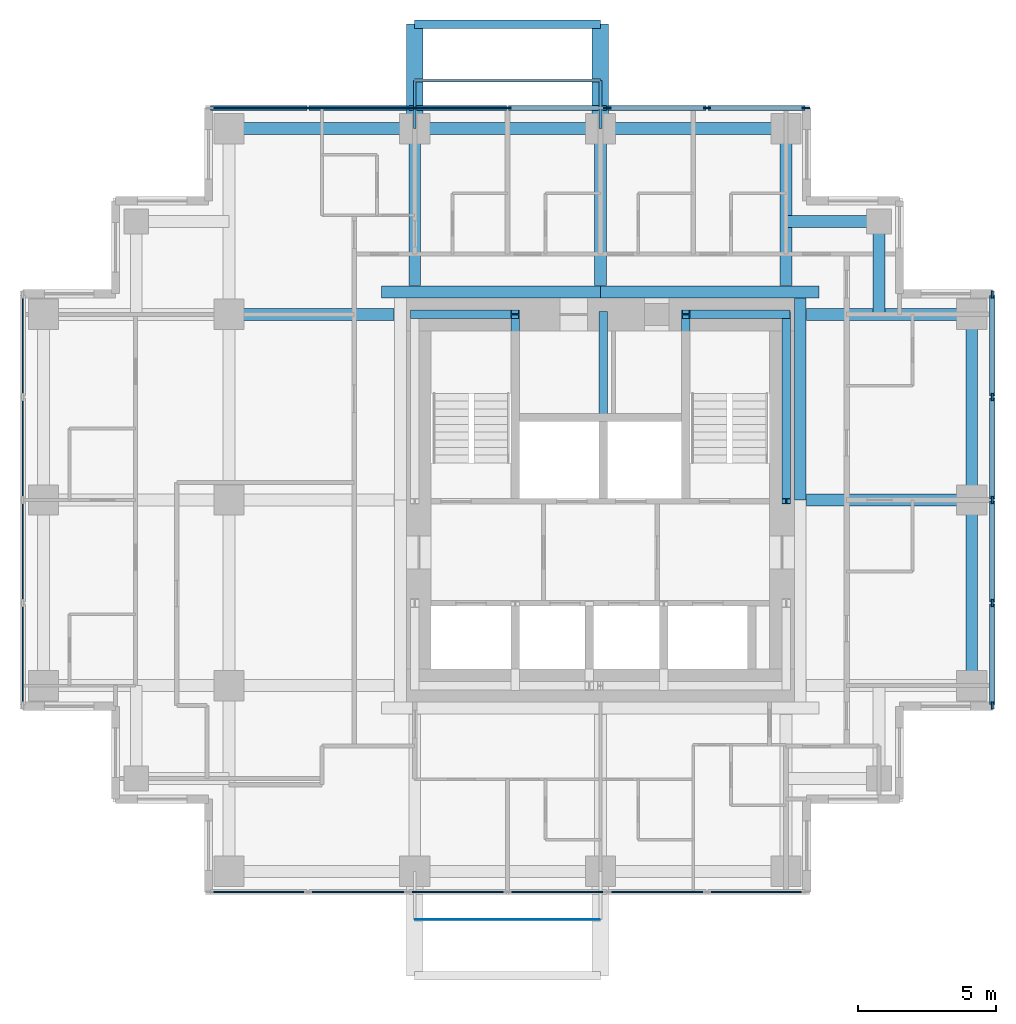
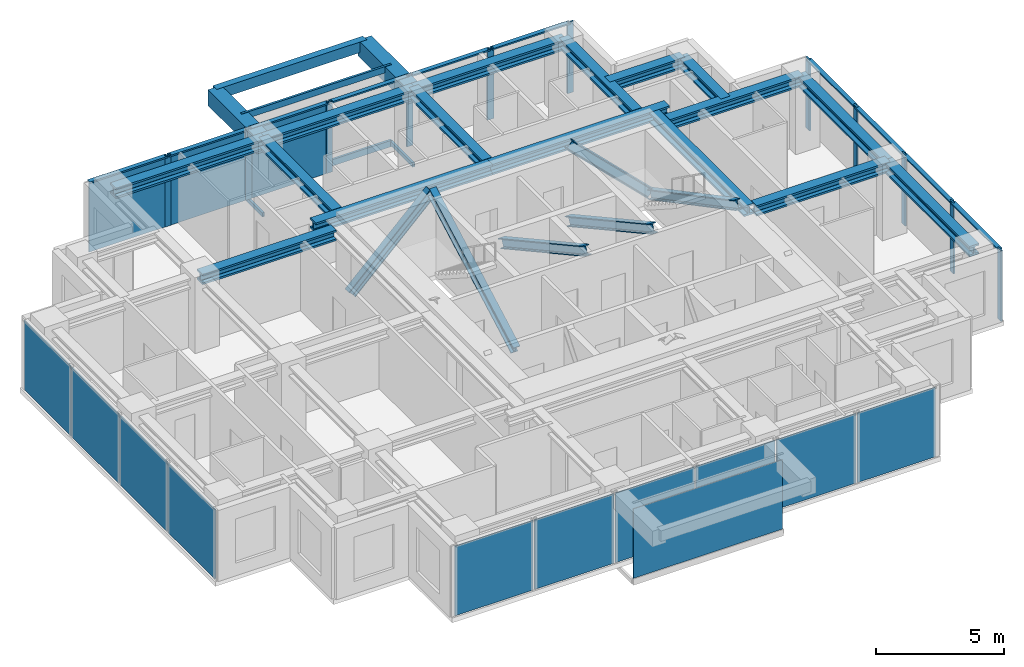
# One storey, part 2 of 8: 31 members, 19 beams, 14 plates, 4 elements without a shape of their own.
"""IFC4 building model written with IfcOpenShell, lengths in metres."""

from ifc_helpers import new_model, si_unit, direction, frame, origin, origin_2d, place, context, subcontext, project, spatial, rectangle, hollow_rectangle, i_section, extrude, material, layer, layer_set, material_profile, profile_set, type_object, element, aggregate, save


model = new_model("IFC4")

# Units and contexts
model_context = context("Model", 3, precision=1e-05, world=origin(), true_north=direction((0.0, 1.0)))
body_context = subcontext(model_context, "Body", "Model", "MODEL_VIEW")
ifc_project = project(units=[si_unit("LENGTHUNIT", "METRE"), si_unit("AREAUNIT", "SQUARE_METRE"), si_unit("VOLUMEUNIT", "CUBIC_METRE"), si_unit("PLANEANGLEUNIT", "RADIAN"), si_unit("MASSUNIT", "GRAM", prefix="KILO")], contexts=[model_context])

# Site, building, storey
site_placement = place(None, origin())
site = spatial("IfcSite", under=ifc_project, at=site_placement, CompositionType="ELEMENT")
building_placement = place(site_placement, origin())
building = spatial("IfcBuilding", under=site, at=building_placement, Name="Nyansa Garden Tower", CompositionType="ELEMENT")
storey_placement = place(building_placement, frame((0.0, 0.0, 222.300048828125)))
storey = spatial("IfcBuildingStorey", under=building, at=storey_placement, Name="L60", CompositionType="ELEMENT", Elevation=222.300048828125)

# Beams
ifc_material_1 = material(Name="Concrete C70/85", Category="concrete")
ifc_material_profile_1 = material_profile(ifc_material_1, rectangle(XDim=0.60009765625, YDim=0.75, at=origin_2d()), Name="RC 600x750")
ifc_profile_set_1 = profile_set([ifc_material_profile_1], Name="Concrete C70/85")
beam_type_1 = type_object("IfcBeamType", Name="Balcony cantilever beam CB1 RC 600x750", PredefinedType="BEAM", material=ifc_profile_set_1)
for number, where, z_axis, x_axis, name in (
    (1, (13.5, 33.75, 2.98486328125), (0.0, 1.0, 0.0), (-1.0, 0.0, 0.0), "Balcony cantilever beam L61"),
    (2, (20.25, 33.75, 2.98486328125), (0.0, 1.0, 0.0), (-1.0, 0.0, 0.0), "Balcony cantilever beam L61"),
):
    element("IfcBeam", number, at=place(storey_placement, frame(where, z_axis=z_axis, x_axis=x_axis)), inside=storey, type_object=beam_type_1, Name=name, PredefinedType="BEAM", context=body_context, shape_type="SweptSolid", body=[
        extrude(rectangle(XDim=0.60009765625, YDim=0.75, at=origin_2d()), origin(), (0.0, 0.0, 1.0), 3.800048828125),
    ])
ifc_material_2 = material(Name="Concrete C70/85", Category="concrete")
ifc_material_profile_2 = material_profile(ifc_material_2, rectangle(XDim=0.300048828125, YDim=0.5, at=origin_2d()), Name="RC 300x500")
ifc_profile_set_2 = profile_set([ifc_material_profile_2], Name="Concrete C70/85")
beam_type_2 = type_object("IfcBeamType", Name="Balcony edge beam BE1 RC 300x500", PredefinedType="BEAM", material=ifc_profile_set_2)
beam_1_placement = place(storey_placement, frame((13.5, 37.550048828125, 3.10986328125), z_axis=(1.0, 0.0, 0.0), x_axis=(0.0, 1.0, 0.0)))
element("IfcBeam", 3, at=beam_1_placement, inside=storey, type_object=beam_type_2, Name="Balcony edge beam L61", PredefinedType="BEAM", context=body_context, shape_type="SweptSolid", body=[
    extrude(rectangle(XDim=0.300048828125, YDim=0.5, at=origin_2d()), origin(), (0.0, 0.0, 1.0), 6.75),
])

# Curtain wall, members
ifc_material_3 = material(Name="Black anodised aluminium, dark tinted double glazing", Category="aluminium")
curtain_wall_type = type_object("IfcCurtainWallType", Name="Inner skin curtain wall ISW-D", PredefinedType="USERDEFINED", material=ifc_material_3)
curtain_wall_1_placement = place(storey_placement, origin())
curtain_wall_1 = element("IfcCurtainWall", 4, at=curtain_wall_1_placement, inside=storey, type_object=curtain_wall_type, Name="Inner skin curtain wall L60 E", ObjectType="UNITISED CURTAIN WALL", PredefinedType="USERDEFINED")
ifc_material_4 = material(Name="Black anodised aluminium", Category="aluminium")
ifc_material_profile_3 = material_profile(ifc_material_4, rectangle(XDim=0.070068359375, YDim=0.27490234375, at=origin_2d()), Name="Mullion 275x70")
ifc_profile_set_3 = profile_set([ifc_material_profile_3], Name="Black anodised aluminium")
member_type_1 = type_object("IfcMemberType", Name="Mullion ISW-D 275x70", PredefinedType="MULLION", material=ifc_profile_set_3)
member_1_placement = place(storey_placement, frame((34.5, 12.784912109375, 0.0), z_axis=(0.0, 0.0, 1.0), x_axis=(-1.0, 0.0, 0.0)))
member_1 = element("IfcMember", 5, at=member_1_placement, type_object=member_type_1, Name="ISW-D mullion 1", PredefinedType="MULLION", context=body_context, shape_type="SweptSolid", body=[
    extrude(rectangle(XDim=0.070068359375, YDim=0.27490234375, at=origin_2d()), origin(), (0.0, 0.0, 1.0), 3.375),
])
member_2_placement = place(storey_placement, frame((34.5, 16.5, 0.0), z_axis=(0.0, 0.0, 1.0), x_axis=(-1.0, 0.0, 0.0)))
member_2 = element("IfcMember", 6, at=member_2_placement, type_object=member_type_1, Name="ISW-D mullion 2", PredefinedType="MULLION", context=body_context, shape_type="SweptSolid", body=[
    extrude(rectangle(XDim=0.070068359375, YDim=0.27490234375, at=origin_2d()), origin(), (0.0, 0.0, 1.0), 3.375),
])
member_3_placement = place(storey_placement, frame((34.5, 20.25, 0.0), z_axis=(0.0, 0.0, 1.0), x_axis=(-1.0, 0.0, 0.0)))
member_3 = element("IfcMember", 7, at=member_3_placement, type_object=member_type_1, Name="ISW-D mullion 3", PredefinedType="MULLION", context=body_context, shape_type="SweptSolid", body=[
    extrude(rectangle(XDim=0.070068359375, YDim=0.27490234375, at=origin_2d()), origin(), (0.0, 0.0, 1.0), 3.375),
])
member_4_placement = place(storey_placement, frame((34.5, 24.0, 0.0), z_axis=(0.0, 0.0, 1.0), x_axis=(-1.0, 0.0, 0.0)))
member_4 = element("IfcMember", 8, at=member_4_placement, type_object=member_type_1, Name="ISW-D mullion 4", PredefinedType="MULLION", context=body_context, shape_type="SweptSolid", body=[
    extrude(rectangle(XDim=0.070068359375, YDim=0.27490234375, at=origin_2d()), origin(), (0.0, 0.0, 1.0), 3.375),
])
member_5_placement = place(storey_placement, frame((34.5, 27.715087890625, 0.0), z_axis=(0.0, 0.0, 1.0), x_axis=(-1.0, 0.0, 0.0)))
member_5 = element("IfcMember", 9, at=member_5_placement, type_object=member_type_1, Name="ISW-D mullion 5", PredefinedType="MULLION", context=body_context, shape_type="SweptSolid", body=[
    extrude(rectangle(XDim=0.070068359375, YDim=0.27490234375, at=origin_2d()), origin(), (0.0, 0.0, 1.0), 3.375),
])

curtain_wall_2_placement = place(storey_placement, origin())
curtain_wall_2 = element("IfcCurtainWall", 10, at=curtain_wall_2_placement, inside=storey, type_object=curtain_wall_type, Name="Inner skin curtain wall L60 N", ObjectType="UNITISED CURTAIN WALL", PredefinedType="USERDEFINED")
member_6_placement = place(storey_placement, frame((27.715087890625, 34.5, 0.0), z_axis=(0.0, 0.0, 1.0), x_axis=(0.0, -1.0, 0.0)))
member_6 = element("IfcMember", 11, at=member_6_placement, type_object=member_type_1, Name="ISW-D mullion 1", PredefinedType="MULLION", context=body_context, shape_type="SweptSolid", body=[
    extrude(rectangle(XDim=0.070068359375, YDim=0.27490234375, at=origin_2d()), origin(), (0.0, 0.0, 1.0), 3.375),
])
member_7_placement = place(storey_placement, frame((24.125, 34.5, 0.0), z_axis=(0.0, 0.0, 1.0), x_axis=(0.0, -1.0, 0.0)))
member_7 = element("IfcMember", 12, at=member_7_placement, type_object=member_type_1, Name="ISW-D mullion 2", PredefinedType="MULLION", context=body_context, shape_type="SweptSolid", body=[
    extrude(rectangle(XDim=0.070068359375, YDim=0.27490234375, at=origin_2d()), origin(), (0.0, 0.0, 1.0), 3.375),
])
member_8_placement = place(storey_placement, frame((20.5, 34.5, 0.0), z_axis=(0.0, 0.0, 1.0), x_axis=(0.0, -1.0, 0.0)))
member_8 = element("IfcMember", 13, at=member_8_placement, type_object=member_type_1, Name="ISW-D mullion 3", PredefinedType="MULLION", context=body_context, shape_type="SweptSolid", body=[
    extrude(rectangle(XDim=0.070068359375, YDim=0.27490234375, at=origin_2d()), origin(), (0.0, 0.0, 1.0), 3.375),
])
member_9_placement = place(storey_placement, frame((16.875, 34.5, 0.0), z_axis=(0.0, 0.0, 1.0), x_axis=(0.0, -1.0, 0.0)))
member_9 = element("IfcMember", 14, at=member_9_placement, type_object=member_type_1, Name="ISW-D mullion 4", PredefinedType="MULLION", context=body_context, shape_type="SweptSolid", body=[
    extrude(rectangle(XDim=0.070068359375, YDim=0.27490234375, at=origin_2d()), origin(), (0.0, 0.0, 1.0), 3.375),
])
member_10_placement = place(storey_placement, frame((13.25, 34.5, 0.0), z_axis=(0.0, 0.0, 1.0), x_axis=(0.0, -1.0, 0.0)))
member_10 = element("IfcMember", 15, at=member_10_placement, type_object=member_type_1, Name="ISW-D mullion 5", PredefinedType="MULLION", context=body_context, shape_type="SweptSolid", body=[
    extrude(rectangle(XDim=0.070068359375, YDim=0.27490234375, at=origin_2d()), origin(), (0.0, 0.0, 1.0), 3.375),
])
member_11_placement = place(storey_placement, frame((9.625, 34.5, 0.0), z_axis=(0.0, 0.0, 1.0), x_axis=(0.0, -1.0, 0.0)))
member_11 = element("IfcMember", 16, at=member_11_placement, type_object=member_type_1, Name="ISW-D mullion 6", PredefinedType="MULLION", context=body_context, shape_type="SweptSolid", body=[
    extrude(rectangle(XDim=0.070068359375, YDim=0.27490234375, at=origin_2d()), origin(), (0.0, 0.0, 1.0), 3.375),
])

# Members
ifc_material_5 = material(Name="Steel S355, black powder coated", Category="steel")
ifc_material_profile_4 = material_profile(ifc_material_5, hollow_rectangle(XDim=0.10009765625, YDim=0.199951171875, WallThickness=0.008056640625, at=origin_2d()), Name="RHS 200x100x8")
ifc_profile_set_4 = profile_set([ifc_material_profile_4], Name="Steel S355, black powder coated")
member_type_2 = type_object("IfcMemberType", Name="Outer skin bracket arm RHS 200x100x8", PredefinedType="USERDEFINED", material=ifc_profile_set_4)
for number, where, z_axis, x_axis, name in (
    (17, (13.5, 33.75, -0.375), (0.0, 1.0, 0.0), (-1.0, 0.0, 0.0), "Outer skin bracket arm"),
    (18, (20.25, 33.75, -0.375), (0.0, 1.0, 0.0), (-1.0, 0.0, 0.0), "Outer skin bracket arm"),
):
    element("IfcMember", number, at=place(storey_placement, frame(where, z_axis=z_axis, x_axis=x_axis)), inside=storey, type_object=member_type_2, Name=name, ObjectType="OUTER SKIN BRACKET", PredefinedType="USERDEFINED", context=body_context, shape_type="SweptSolid", body=[
        extrude(hollow_rectangle(XDim=0.10009765625, YDim=0.199951171875, WallThickness=0.008056640625, at=origin_2d()), origin(), (0.0, 0.0, 1.0), 1.75),
    ])
ifc_material_6 = material(Name="Steel S355, black powder coated", Category="steel")
ifc_material_profile_5 = material_profile(ifc_material_6, hollow_rectangle(XDim=0.10009765625, YDim=0.300048828125, WallThickness=0.010009765625, at=origin_2d()), Name="RHS 300x100x10")
ifc_profile_set_5 = profile_set([ifc_material_profile_5], Name="Steel S355, black powder coated")
member_type_3 = type_object("IfcMemberType", Name="Outer skin rail RHS 300x100x10", PredefinedType="USERDEFINED", material=ifc_profile_set_5)
for number, where, z_axis, x_axis, name in (
    (19, (13.5, 35.5, -0.375), (1.0, 0.0, 0.0), (0.0, 1.0, 0.0), "Outer skin rail L60"),
    (20, (13.5, 35.5, 3.224853515625), (1.0, 0.0, 0.0), (0.0, 1.0, 0.0), "Outer skin rail L60 head"),
):
    element("IfcMember", number, at=place(storey_placement, frame(where, z_axis=z_axis, x_axis=x_axis)), inside=storey, type_object=member_type_3, Name=name, ObjectType="OUTER SKIN RAIL", PredefinedType="USERDEFINED", context=body_context, shape_type="SweptSolid", body=[
        extrude(hollow_rectangle(XDim=0.10009765625, YDim=0.300048828125, WallThickness=0.010009765625, at=origin_2d()), origin(), (0.0, 0.0, 1.0), 6.75),
    ])
ifc_material_7 = material(Name="Steel S355", Category="steel")
ifc_material_profile_6 = material_profile(ifc_material_7, i_section(OverallWidth=0.306884765625, OverallDepth=0.431884765625, WebThickness=0.02099609375, FlangeThickness=0.0400390625, FilletRadius=0.027099609375, at=origin_2d()), Name="HE 400 M")
ifc_profile_set_6 = profile_set([ifc_material_profile_6], Name="Steel S355")
member_type_4 = type_object("IfcMemberType", Name="Perimeter brace HE 400 M", PredefinedType="BRACE", material=ifc_profile_set_6)
for number, where, z_axis, x_axis, name in (
    (21, (13.5, 27.0, 0.0), (0.711971340796, 0.0, 0.702208523079), (0.0, 1.0, 0.0), "Core brace CN3 L60"),
    (22, (27.0, 27.0, 0.0), (-0.711971340796, 0.0, 0.702208523079), (0.0, -1.0, 0.0), "Core brace CN4 L60"),
):
    element("IfcMember", number, at=place(storey_placement, frame(where, z_axis=z_axis, x_axis=x_axis)), inside=storey, type_object=member_type_4, Name=name, PredefinedType="BRACE", context=body_context, shape_type="SweptSolid", body=[
        extrude(i_section(OverallWidth=0.306884765625, OverallDepth=0.431884765625, WebThickness=0.02099609375, FlangeThickness=0.0400390625, FilletRadius=0.027099609375, at=origin_2d()), origin(), (0.0, 0.0, 1.0), 5.12646484375),
    ])
member_12_placement = place(storey_placement, frame((27.0, 27.0, 0.0), z_axis=(0.0, -0.883797178129, 0.467870225524), x_axis=(1.0, 0.0, 0.0)))
element("IfcMember", 23, at=member_12_placement, inside=storey, type_object=member_type_4, Name="Core brace CE8 L60", PredefinedType="BRACE", context=body_context, shape_type="SweptSolid", body=[
    extrude(i_section(OverallWidth=0.306884765625, OverallDepth=0.431884765625, WebThickness=0.02099609375, FlangeThickness=0.0400390625, FilletRadius=0.027099609375, at=origin_2d()), origin(), (0.0, 0.0, 1.0), 7.694091796875),
])
for number, where, z_axis, x_axis, name in (
    (24, (17.14990234375, 20.449951171875, 0.0), (0.0, 0.876366901673, 0.481644115143), (-1.0, 0.0, 0.0), "Core brace CWS9 L60"),
    (25, (23.35009765625, 27.0, 0.0), (0.0, -0.876366901673, 0.481644115143), (1.0, 0.0, 0.0), "Core brace CES10 L60"),
    (26, (20.35009765625, 27.0, 0.0), (0.0, -0.876366901673, 0.481644115143), (1.0, 0.0, 0.0), "Core brace CNW14 L60"),
):
    element("IfcMember", number, at=place(storey_placement, frame(where, z_axis=z_axis, x_axis=x_axis)), inside=storey, type_object=member_type_4, Name=name, PredefinedType="BRACE", context=body_context, shape_type="SweptSolid", body=[
        extrude(i_section(OverallWidth=0.306884765625, OverallDepth=0.431884765625, WebThickness=0.02099609375, FlangeThickness=0.0400390625, FilletRadius=0.027099609375, at=origin_2d()), origin(), (0.0, 0.0, 1.0), 7.47412109375),
    ])

# Beams
ifc_material_8 = material(Name="Steel S355", Category="steel")
ifc_material_profile_7 = material_profile(ifc_material_8, i_section(OverallWidth=0.431884765625, OverallDepth=0.498046875, WebThickness=0.0556640625, FlangeThickness=0.0888671875, FilletRadius=0.014892578125, at=origin_2d()), Name="HD 400x744")
ifc_profile_set_7 = profile_set([ifc_material_profile_7], Name="Steel S355")
beam_type_3 = type_object("IfcBeamType", Name="Steel beam SBD1-744 HD 400x744", PredefinedType="BEAM", material=ifc_profile_set_7)
beam_2_placement = place(storey_placement, frame((6.75, 27.0, 3.1259765625), z_axis=(1.0, 0.0, 0.0), x_axis=(0.0, 1.0, 0.0)))
element("IfcBeam", 27, at=beam_2_placement, inside=storey, type_object=beam_type_3, Name="Steel beam 3/H-12.750/H L61", PredefinedType="BEAM", context=body_context, shape_type="SweptSolid", body=[
    extrude(i_section(OverallWidth=0.431884765625, OverallDepth=0.498046875, WebThickness=0.0556640625, FlangeThickness=0.0888671875, FilletRadius=0.014892578125, at=origin_2d()), origin(), (0.0, 0.0, 1.0), 6.0),
])
for number, where, z_axis, x_axis, name in (
    (28, (13.5, 28.050048828125, 3.1259765625), (0.0, 1.0, 0.0), (-1.0, 0.0, 0.0), "Steel beam 4/28.050-4/J L61"),
    (29, (20.25, 28.050048828125, 3.1259765625), (0.0, 1.0, 0.0), (-1.0, 0.0, 0.0), "Steel beam 5/28.050-5/J L61"),
):
    element("IfcBeam", number, at=place(storey_placement, frame(where, z_axis=z_axis, x_axis=x_axis)), inside=storey, type_object=beam_type_3, Name=name, PredefinedType="BEAM", context=body_context, shape_type="SweptSolid", body=[
        extrude(i_section(OverallWidth=0.431884765625, OverallDepth=0.498046875, WebThickness=0.0556640625, FlangeThickness=0.0888671875, FilletRadius=0.014892578125, at=origin_2d()), origin(), (0.0, 0.0, 1.0), 5.699951171875),
    ])
beam_3_placement = place(storey_placement, frame((27.75, 20.25, 3.1259765625), z_axis=(1.0, 0.0, 0.0), x_axis=(0.0, 1.0, 0.0)))
element("IfcBeam", 30, at=beam_3_placement, inside=storey, type_object=beam_type_3, Name="Steel beam 27.750/G-7/G L61", PredefinedType="BEAM", context=body_context, shape_type="SweptSolid", body=[
    extrude(i_section(OverallWidth=0.431884765625, OverallDepth=0.498046875, WebThickness=0.0556640625, FlangeThickness=0.0888671875, FilletRadius=0.014892578125, at=origin_2d()), origin(), (0.0, 0.0, 1.0), 6.0),
])
beam_4_placement = place(storey_placement, frame((27.0, 28.050048828125, 3.1259765625), z_axis=(0.0, 1.0, 0.0), x_axis=(-1.0, 0.0, 0.0)))
element("IfcBeam", 31, at=beam_4_placement, inside=storey, type_object=beam_type_3, Name="Steel beam 6/28.050-6/J L61", PredefinedType="BEAM", context=body_context, shape_type="SweptSolid", body=[
    extrude(i_section(OverallWidth=0.431884765625, OverallDepth=0.498046875, WebThickness=0.0556640625, FlangeThickness=0.0888671875, FilletRadius=0.014892578125, at=origin_2d()), origin(), (0.0, 0.0, 1.0), 5.699951171875),
])
beam_5_placement = place(storey_placement, frame((27.75, 27.0, 3.1259765625), z_axis=(1.0, 0.0, 0.0), x_axis=(0.0, 1.0, 0.0)))
element("IfcBeam", 32, at=beam_5_placement, inside=storey, type_object=beam_type_3, Name="Steel beam 27.750/H-7/H L61", PredefinedType="BEAM", context=body_context, shape_type="SweptSolid", body=[
    extrude(i_section(OverallWidth=0.431884765625, OverallDepth=0.498046875, WebThickness=0.0556640625, FlangeThickness=0.0888671875, FilletRadius=0.014892578125, at=origin_2d()), origin(), (0.0, 0.0, 1.0), 6.0),
])
ifc_material_9 = material(Name="Steel S355", Category="steel")
ifc_material_profile_8 = material_profile(ifc_material_9, i_section(OverallWidth=0.431884765625, OverallDepth=0.498046875, WebThickness=0.0556640625, FlangeThickness=0.0888671875, FilletRadius=0.014892578125, at=origin_2d()), Name="HD 400x744")
ifc_profile_set_8 = profile_set([ifc_material_profile_8], Name="Steel S355")
beam_type_4 = type_object("IfcBeamType", Name="Steel beam SEBD-744 HD 400x744", PredefinedType="BEAM", material=ifc_profile_set_8)
for number, where, z_axis, x_axis, name in (
    (33, (6.75, 33.75, 3.1259765625), (1.0, 0.0, 0.0), (0.0, 1.0, 0.0), "Steel edge beam 3/J-4/J L61"),
    (34, (13.5, 33.75, 3.1259765625), (1.0, 0.0, 0.0), (0.0, 1.0, 0.0), "Steel edge beam 4/J-5/J L61"),
    (35, (20.25, 33.75, 3.1259765625), (1.0, 0.0, 0.0), (0.0, 1.0, 0.0), "Steel edge beam 5/J-6/J L61"),
    (36, (33.75, 13.5, 3.1259765625), (0.0, 1.0, 0.0), (-1.0, 0.0, 0.0), "Steel edge beam 7/F-7/G L61"),
    (37, (33.75, 20.25, 3.1259765625), (0.0, 1.0, 0.0), (-1.0, 0.0, 0.0), "Steel edge beam 7/G-7/H L61"),
):
    element("IfcBeam", number, at=place(storey_placement, frame(where, z_axis=z_axis, x_axis=x_axis)), inside=storey, type_object=beam_type_4, Name=name, PredefinedType="BEAM", context=body_context, shape_type="SweptSolid", body=[
        extrude(i_section(OverallWidth=0.431884765625, OverallDepth=0.498046875, WebThickness=0.0556640625, FlangeThickness=0.0888671875, FilletRadius=0.014892578125, at=origin_2d()), origin(), (0.0, 0.0, 1.0), 6.75),
    ])
ifc_material_10 = material(Name="Steel S355", Category="steel")
ifc_material_profile_9 = material_profile(ifc_material_10, i_section(OverallWidth=0.431884765625, OverallDepth=0.498046875, WebThickness=0.0556640625, FlangeThickness=0.0888671875, FilletRadius=0.014892578125, at=origin_2d()), Name="HD 400x744")
ifc_profile_set_9 = profile_set([ifc_material_profile_9], Name="Steel S355")
beam_type_5 = type_object("IfcBeamType", Name="Steel beam SLB1-744 HD 400x744", PredefinedType="BEAM", material=ifc_profile_set_9)
beam_6_placement = place(storey_placement, frame((27.51611328125, 20.25, 3.1259765625), z_axis=(0.0, 1.0, 0.0), x_axis=(-1.0, 0.0, 0.0)))
element("IfcBeam", 38, at=beam_6_placement, inside=storey, type_object=beam_type_5, Name="Steel core ledger beam E.2 L61", PredefinedType="BEAM", context=body_context, shape_type="SweptSolid", body=[
    extrude(i_section(OverallWidth=0.431884765625, OverallDepth=0.498046875, WebThickness=0.0556640625, FlangeThickness=0.0888671875, FilletRadius=0.014892578125, at=origin_2d()), origin(), (0.0, 0.0, 1.0), 7.35009765625),
])
for number, where, z_axis, x_axis, name in (
    (39, (28.199951171875, 27.81591796875, 3.1259765625), (-1.0, 0.0, 0.0), (0.0, -1.0, 0.0), "Steel core ledger beam N.1 L61"),
    (40, (20.25, 27.81591796875, 3.1259765625), (-1.0, 0.0, 0.0), (0.0, -1.0, 0.0), "Steel core ledger beam N.2 L61"),
):
    element("IfcBeam", number, at=place(storey_placement, frame(where, z_axis=z_axis, x_axis=x_axis)), inside=storey, type_object=beam_type_5, Name=name, PredefinedType="BEAM", context=body_context, shape_type="SweptSolid", body=[
        extrude(i_section(OverallWidth=0.431884765625, OverallDepth=0.498046875, WebThickness=0.0556640625, FlangeThickness=0.0888671875, FilletRadius=0.014892578125, at=origin_2d()), origin(), (0.0, 0.0, 1.0), 7.949951171875),
    ])
ifc_material_11 = material(Name="Steel S355", Category="steel")
ifc_material_profile_10 = material_profile(ifc_material_11, i_section(OverallWidth=0.431884765625, OverallDepth=0.498046875, WebThickness=0.0556640625, FlangeThickness=0.0888671875, FilletRadius=0.014892578125, at=origin_2d()), Name="HD 400x744")
ifc_profile_set_10 = profile_set([ifc_material_profile_10], Name="Steel S355")
beam_type_6 = type_object("IfcBeamType", Name="Steel beam SSB1-744 HD 400x744", PredefinedType="BEAM", material=ifc_profile_set_10)
for number, where, z_axis, x_axis, name in (
    (41, (30.375, 30.375, 3.1259765625), (0.0, -1.0, 0.0), (1.0, 0.0, 0.0), "Steel step beam 30.375/30.375 L61"),
    (42, (30.375, 30.375, 3.1259765625), (-1.0, 0.0, 0.0), (0.0, -1.0, 0.0), "Steel step beam 30.375/30.375 L61"),
):
    element("IfcBeam", number, at=place(storey_placement, frame(where, z_axis=z_axis, x_axis=x_axis)), inside=storey, type_object=beam_type_6, Name=name, PredefinedType="BEAM", context=body_context, shape_type="SweptSolid", body=[
        extrude(i_section(OverallWidth=0.431884765625, OverallDepth=0.498046875, WebThickness=0.0556640625, FlangeThickness=0.0888671875, FilletRadius=0.014892578125, at=origin_2d()), origin(), (0.0, 0.0, 1.0), 3.375),
    ])

# Member
ifc_material_12 = material(Name="Black anodised aluminium", Category="aluminium")
ifc_material_profile_11 = material_profile(ifc_material_12, rectangle(XDim=0.195068359375, YDim=0.070068359375, at=origin_2d()), Name="Transom 195x70")
ifc_profile_set_11 = profile_set([ifc_material_profile_11], Name="Black anodised aluminium")
member_type_5 = type_object("IfcMemberType", Name="Transom ISW-D 195x70", PredefinedType="USERDEFINED", material=ifc_profile_set_11)
member_13_placement = place(storey_placement, frame((34.5, 12.820068359375, 3.33984375), z_axis=(0.0, 1.0, 0.0), x_axis=(-1.0, 0.0, 0.0)))
member_13 = element("IfcMember", 43, at=member_13_placement, type_object=member_type_5, Name="ISW-D transom 1", ObjectType="TRANSOM", PredefinedType="USERDEFINED", context=body_context, shape_type="SweptSolid", body=[
    extrude(rectangle(XDim=0.195068359375, YDim=0.070068359375, at=origin_2d()), origin(), (0.0, 0.0, 1.0), 3.64501953125),
])

member_14_placement = place(storey_placement, frame((34.5, 16.534912109375, 3.33984375), z_axis=(0.0, 1.0, 0.0), x_axis=(-1.0, 0.0, 0.0)))
member_14 = element("IfcMember", 44, at=member_14_placement, type_object=member_type_5, Name="ISW-D transom 2", ObjectType="TRANSOM", PredefinedType="USERDEFINED", context=body_context, shape_type="SweptSolid", body=[
    extrude(rectangle(XDim=0.195068359375, YDim=0.070068359375, at=origin_2d()), origin(), (0.0, 0.0, 1.0), 3.68017578125),
])

member_15_placement = place(storey_placement, frame((34.5, 20.284912109375, 3.33984375), z_axis=(0.0, 1.0, 0.0), x_axis=(-1.0, 0.0, 0.0)))
member_15 = element("IfcMember", 45, at=member_15_placement, type_object=member_type_5, Name="ISW-D transom 3", ObjectType="TRANSOM", PredefinedType="USERDEFINED", context=body_context, shape_type="SweptSolid", body=[
    extrude(rectangle(XDim=0.195068359375, YDim=0.070068359375, at=origin_2d()), origin(), (0.0, 0.0, 1.0), 3.68017578125),
])

member_16_placement = place(storey_placement, frame((34.5, 24.034912109375, 3.33984375), z_axis=(0.0, 1.0, 0.0), x_axis=(-1.0, 0.0, 0.0)))
member_16 = element("IfcMember", 46, at=member_16_placement, type_object=member_type_5, Name="ISW-D transom 4", ObjectType="TRANSOM", PredefinedType="USERDEFINED", context=body_context, shape_type="SweptSolid", body=[
    extrude(rectangle(XDim=0.195068359375, YDim=0.070068359375, at=origin_2d()), origin(), (0.0, 0.0, 1.0), 3.64501953125),
])

aggregate(curtain_wall_1, [member_1, member_2, member_3, member_4, member_5, member_13, member_14, member_15, member_16])

member_17_placement = place(storey_placement, frame((27.679931640625, 34.5, 3.33984375), z_axis=(-1.0, 0.0, 0.0), x_axis=(0.0, -1.0, 0.0)))
member_17 = element("IfcMember", 47, at=member_17_placement, type_object=member_type_5, Name="ISW-D transom 1", ObjectType="TRANSOM", PredefinedType="USERDEFINED", context=body_context, shape_type="SweptSolid", body=[
    extrude(rectangle(XDim=0.195068359375, YDim=0.070068359375, at=origin_2d()), origin(), (0.0, 0.0, 1.0), 3.52001953125),
])

member_18_placement = place(storey_placement, frame((24.090087890625, 34.5, 3.33984375), z_axis=(-1.0, 0.0, 0.0), x_axis=(0.0, -1.0, 0.0)))
member_18 = element("IfcMember", 48, at=member_18_placement, type_object=member_type_5, Name="ISW-D transom 2", ObjectType="TRANSOM", PredefinedType="USERDEFINED", context=body_context, shape_type="SweptSolid", body=[
    extrude(rectangle(XDim=0.195068359375, YDim=0.070068359375, at=origin_2d()), origin(), (0.0, 0.0, 1.0), 3.55517578125),
])

member_19_placement = place(storey_placement, frame((20.465087890625, 34.5, 3.33984375), z_axis=(-1.0, 0.0, 0.0), x_axis=(0.0, -1.0, 0.0)))
member_19 = element("IfcMember", 49, at=member_19_placement, type_object=member_type_5, Name="ISW-D transom 3", ObjectType="TRANSOM", PredefinedType="USERDEFINED", context=body_context, shape_type="SweptSolid", body=[
    extrude(rectangle(XDim=0.195068359375, YDim=0.070068359375, at=origin_2d()), origin(), (0.0, 0.0, 1.0), 3.55517578125),
])

member_20_placement = place(storey_placement, frame((16.840087890625, 34.5, 3.33984375), z_axis=(-1.0, 0.0, 0.0), x_axis=(0.0, -1.0, 0.0)))
member_20 = element("IfcMember", 50, at=member_20_placement, type_object=member_type_5, Name="ISW-D transom 4", ObjectType="TRANSOM", PredefinedType="USERDEFINED", context=body_context, shape_type="SweptSolid", body=[
    extrude(rectangle(XDim=0.195068359375, YDim=0.070068359375, at=origin_2d()), origin(), (0.0, 0.0, 1.0), 3.55517578125),
])

member_21_placement = place(storey_placement, frame((13.215087890625, 34.5, 3.33984375), z_axis=(-1.0, 0.0, 0.0), x_axis=(0.0, -1.0, 0.0)))
member_21 = element("IfcMember", 51, at=member_21_placement, type_object=member_type_5, Name="ISW-D transom 5", ObjectType="TRANSOM", PredefinedType="USERDEFINED", context=body_context, shape_type="SweptSolid", body=[
    extrude(rectangle(XDim=0.195068359375, YDim=0.070068359375, at=origin_2d()), origin(), (0.0, 0.0, 1.0), 3.55517578125),
])

member_22_placement = place(storey_placement, frame((9.590087890625, 34.5, 3.33984375), z_axis=(-1.0, 0.0, 0.0), x_axis=(0.0, -1.0, 0.0)))
member_22 = element("IfcMember", 52, at=member_22_placement, type_object=member_type_5, Name="ISW-D transom 6", ObjectType="TRANSOM", PredefinedType="USERDEFINED", context=body_context, shape_type="SweptSolid", body=[
    extrude(rectangle(XDim=0.195068359375, YDim=0.070068359375, at=origin_2d()), origin(), (0.0, 0.0, 1.0), 3.52001953125),
])

# Plate
ifc_material_13 = material(Name="Dark tinted laminated double glazing", Category="glass")
ifc_layer_1 = layer(ifc_material_13, 0.0439453125)
ifc_layer_set_1 = layer_set([ifc_layer_1], Name="Dark tinted vision panel VP-D")
plate_type_1 = type_object("IfcPlateType", Name="Dark tinted vision panel VP-D", PredefinedType="CURTAIN_PANEL", material=ifc_layer_set_1)
plate_1_placement = place(storey_placement, frame((15.0625, 34.5, 0.0), z_axis=(0.0, 0.0, 1.0), x_axis=(-1.0, 0.0, 0.0)))
plate_1 = element("IfcPlate", 53, at=plate_1_placement, type_object=plate_type_1, Name="ISW-D panel 4", PredefinedType="CURTAIN_PANEL", context=body_context, shape_type="SweptSolid", body=[
    extrude(rectangle(XDim=3.554931640625, YDim=0.0439453125, at=origin_2d()), origin(), (0.0, 0.0, 1.0), 3.304931640625),
])

plate_2_placement = place(storey_placement, frame((11.4375, 34.5, 0.0), z_axis=(0.0, 0.0, 1.0), x_axis=(-1.0, 0.0, 0.0)))
plate_2 = element("IfcPlate", 54, at=plate_2_placement, type_object=plate_type_1, Name="ISW-D panel 5", PredefinedType="CURTAIN_PANEL", context=body_context, shape_type="SweptSolid", body=[
    extrude(rectangle(XDim=3.554931640625, YDim=0.0439453125, at=origin_2d()), origin(), (0.0, 0.0, 1.0), 3.304931640625),
])

plate_3_placement = place(storey_placement, frame((7.830078125, 34.5, 0.0), z_axis=(0.0, 0.0, 1.0), x_axis=(-1.0, 0.0, 0.0)))
plate_3 = element("IfcPlate", 55, at=plate_3_placement, type_object=plate_type_1, Name="ISW-D panel 6", PredefinedType="CURTAIN_PANEL", context=body_context, shape_type="SweptSolid", body=[
    extrude(rectangle(XDim=3.52001953125, YDim=0.0439453125, at=origin_2d()), origin(), (0.0, 0.0, 1.0), 3.304931640625),
])

aggregate(curtain_wall_2, [member_6, member_7, member_8, member_9, member_10, member_11, member_17, member_18, member_19, member_20, plate_1, member_21, plate_2, member_22, plate_3])

# Curtain wall, plates
curtain_wall_3_placement = place(storey_placement, origin())
curtain_wall_3 = element("IfcCurtainWall", 56, at=curtain_wall_3_placement, inside=storey, type_object=curtain_wall_type, Name="Inner skin curtain wall L60 W", ObjectType="UNITISED CURTAIN WALL", PredefinedType="USERDEFINED")
plate_4_placement = place(storey_placement, frame((-0.75, 25.857421875, 0.0), z_axis=(0.0, 0.0, 1.0), x_axis=(0.0, -1.0, 0.0)))
plate_4 = element("IfcPlate", 57, at=plate_4_placement, type_object=plate_type_1, Name="ISW-D panel 1", PredefinedType="CURTAIN_PANEL", context=body_context, shape_type="SweptSolid", body=[
    extrude(rectangle(XDim=3.64501953125, YDim=0.0439453125, at=origin_2d()), origin(), (0.0, 0.0, 1.0), 3.304931640625),
])
plate_5_placement = place(storey_placement, frame((-0.75, 22.125, 0.0), z_axis=(0.0, 0.0, 1.0), x_axis=(0.0, -1.0, 0.0)))
plate_5 = element("IfcPlate", 58, at=plate_5_placement, type_object=plate_type_1, Name="ISW-D panel 2", PredefinedType="CURTAIN_PANEL", context=body_context, shape_type="SweptSolid", body=[
    extrude(rectangle(XDim=3.679931640625, YDim=0.0439453125, at=origin_2d()), origin(), (0.0, 0.0, 1.0), 3.304931640625),
])
plate_6_placement = place(storey_placement, frame((-0.75, 18.375, 0.0), z_axis=(0.0, 0.0, 1.0), x_axis=(0.0, -1.0, 0.0)))
plate_6 = element("IfcPlate", 59, at=plate_6_placement, type_object=plate_type_1, Name="ISW-D panel 3", PredefinedType="CURTAIN_PANEL", context=body_context, shape_type="SweptSolid", body=[
    extrude(rectangle(XDim=3.679931640625, YDim=0.0439453125, at=origin_2d()), origin(), (0.0, 0.0, 1.0), 3.304931640625),
])
plate_7_placement = place(storey_placement, frame((-0.75, 14.642578125, 0.0), z_axis=(0.0, 0.0, 1.0), x_axis=(0.0, -1.0, 0.0)))
plate_7 = element("IfcPlate", 60, at=plate_7_placement, type_object=plate_type_1, Name="ISW-D panel 4", PredefinedType="CURTAIN_PANEL", context=body_context, shape_type="SweptSolid", body=[
    extrude(rectangle(XDim=3.64501953125, YDim=0.0439453125, at=origin_2d()), origin(), (0.0, 0.0, 1.0), 3.304931640625),
])
aggregate(curtain_wall_3, [plate_4, plate_5, plate_6, plate_7])

curtain_wall_4_placement = place(storey_placement, origin())
curtain_wall_4 = element("IfcCurtainWall", 61, at=curtain_wall_4_placement, inside=storey, type_object=curtain_wall_type, Name="Inner skin curtain wall L60 S", ObjectType="UNITISED CURTAIN WALL", PredefinedType="USERDEFINED")
plate_8_placement = place(storey_placement, frame((7.830078125, 6.0, 0.0), z_axis=(0.0, 0.0, 1.0), x_axis=(1.0, 0.0, 0.0)))
plate_8 = element("IfcPlate", 62, at=plate_8_placement, type_object=plate_type_1, Name="ISW-D panel 1", PredefinedType="CURTAIN_PANEL", context=body_context, shape_type="SweptSolid", body=[
    extrude(rectangle(XDim=3.52001953125, YDim=0.0439453125, at=origin_2d()), origin(), (0.0, 0.0, 1.0), 3.304931640625),
])
plate_9_placement = place(storey_placement, frame((11.4375, 6.0, 0.0), z_axis=(0.0, 0.0, 1.0), x_axis=(1.0, 0.0, 0.0)))
plate_9 = element("IfcPlate", 63, at=plate_9_placement, type_object=plate_type_1, Name="ISW-D panel 2", PredefinedType="CURTAIN_PANEL", context=body_context, shape_type="SweptSolid", body=[
    extrude(rectangle(XDim=3.554931640625, YDim=0.0439453125, at=origin_2d()), origin(), (0.0, 0.0, 1.0), 3.304931640625),
])
plate_10_placement = place(storey_placement, frame((15.0625, 6.0, 0.0), z_axis=(0.0, 0.0, 1.0), x_axis=(1.0, 0.0, 0.0)))
plate_10 = element("IfcPlate", 64, at=plate_10_placement, type_object=plate_type_1, Name="ISW-D panel 3", PredefinedType="CURTAIN_PANEL", context=body_context, shape_type="SweptSolid", body=[
    extrude(rectangle(XDim=3.554931640625, YDim=0.0439453125, at=origin_2d()), origin(), (0.0, 0.0, 1.0), 3.304931640625),
])
plate_11_placement = place(storey_placement, frame((18.6875, 6.0, 0.0), z_axis=(0.0, 0.0, 1.0), x_axis=(1.0, 0.0, 0.0)))
plate_11 = element("IfcPlate", 65, at=plate_11_placement, type_object=plate_type_1, Name="ISW-D panel 4", PredefinedType="CURTAIN_PANEL", context=body_context, shape_type="SweptSolid", body=[
    extrude(rectangle(XDim=3.554931640625, YDim=0.0439453125, at=origin_2d()), origin(), (0.0, 0.0, 1.0), 3.304931640625),
])
plate_12_placement = place(storey_placement, frame((22.3125, 6.0, 0.0), z_axis=(0.0, 0.0, 1.0), x_axis=(1.0, 0.0, 0.0)))
plate_12 = element("IfcPlate", 66, at=plate_12_placement, type_object=plate_type_1, Name="ISW-D panel 5", PredefinedType="CURTAIN_PANEL", context=body_context, shape_type="SweptSolid", body=[
    extrude(rectangle(XDim=3.554931640625, YDim=0.0439453125, at=origin_2d()), origin(), (0.0, 0.0, 1.0), 3.304931640625),
])
plate_13_placement = place(storey_placement, frame((25.919921875, 6.0, 0.0), z_axis=(0.0, 0.0, 1.0), x_axis=(1.0, 0.0, 0.0)))
plate_13 = element("IfcPlate", 67, at=plate_13_placement, type_object=plate_type_1, Name="ISW-D panel 6", PredefinedType="CURTAIN_PANEL", context=body_context, shape_type="SweptSolid", body=[
    extrude(rectangle(XDim=3.52001953125, YDim=0.0439453125, at=origin_2d()), origin(), (0.0, 0.0, 1.0), 3.304931640625),
])
aggregate(curtain_wall_4, [plate_8, plate_9, plate_10, plate_11, plate_12, plate_13])

# Plate
ifc_material_14 = material(Name="Dark tinted laminated glass", Category="glass")
ifc_layer_2 = layer(ifc_material_14, 0.02392578125)
ifc_layer_set_2 = layer_set([ifc_layer_2], Name="Outer skin glass panel OS1")
plate_type_2 = type_object("IfcPlateType", Name="Outer skin glass panel OS1", PredefinedType="USERDEFINED", material=ifc_layer_set_2)
plate_14_placement = place(storey_placement, frame((16.875, 5.0, -0.22509765625), z_axis=(0.0, 0.0, 1.0), x_axis=(1.0, 0.0, 0.0)))
element("IfcPlate", 68, at=plate_14_placement, inside=storey, type_object=plate_type_2, Name="Outer skin glass panel L60", ObjectType="OUTER SKIN GLASS", PredefinedType="USERDEFINED", context=body_context, shape_type="SweptSolid", body=[
    extrude(rectangle(XDim=6.7099609375, YDim=0.02392578125, at=origin_2d()), origin(), (0.0, 0.0, 1.0), 3.300048828125),
])

save(model, "model.ifc")
